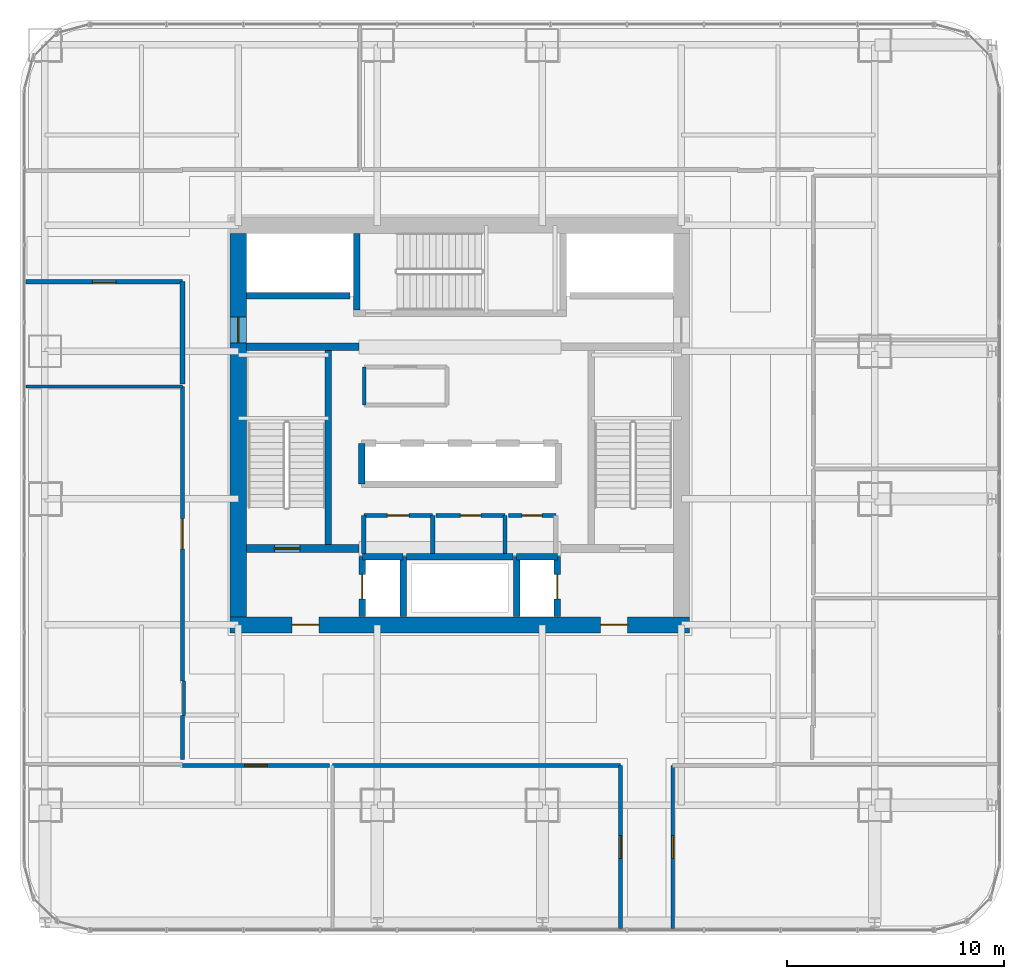
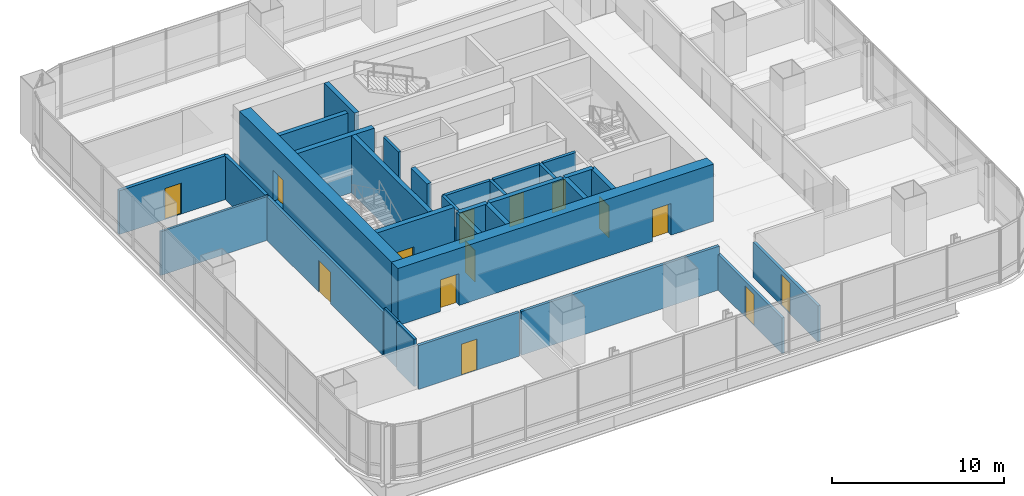
# One storey, part 27 of 34: 32 walls, 14 doors, 14 openings.
"""IFC4 building model written with IfcOpenShell, lengths in metres."""

import ifcopenshell
import ifcopenshell.guid

model = None  # the IFC model being written
_history = None  # IfcOwnerHistory: only IFC2X3 demands one
_inside = {}  # id of a spatial element -> (the spatial element, [elements in it])
_under = {}  # id of a project, library or spatial element -> (it, [spatial elements below it])
_declared = {}  # id of a project -> (the project, [libraries it declares])
_typed = {}  # id of a type object -> (the type object, [elements of that type])
_made_of = {}  # id of a material, layer set ... -> (it, [elements and type objects made of it])


def new_model(schema):
    """Start an empty IFC model of exactly this schema.

    Asked for "IFC4X3", IfcOpenShell would pick the latest addendum, in which some entities
    have other attributes; the version numbers below select the first issue.
    IFC2X3 requires an IfcOwnerHistory on every rooted entity: one is made here for all.
    """
    global model, _history
    if schema == "IFC4X3":
        model = ifcopenshell.file(schema_version=(4, 3, 0, 0))
    else:
        model = ifcopenshell.file(schema=schema)
    _inside.clear()
    _under.clear()
    _declared.clear()
    _typed.clear()
    _made_of.clear()
    _history = None
    if model.schema == "IFC2X3":
        org = make("IfcOrganization", Name="unknown")
        user = make(
            "IfcPersonAndOrganization",
            ThePerson=make("IfcPerson", FamilyName="unknown"),
            TheOrganization=org,
        )
        app = make(
            "IfcApplication",
            ApplicationDeveloper=org,
            Version="unknown",
            ApplicationFullName="unknown",
            ApplicationIdentifier="unknown",
        )
        _history = make(
            "IfcOwnerHistory",
            OwningUser=user,
            OwningApplication=app,
            ChangeAction="ADDED",
            CreationDate=0,
        )
    return model


def make(cls, **values):
    """One entity of the class cls with the attributes given. An attribute that is None is left unset."""
    return model.create_entity(
        cls, **{name: value for name, value in values.items() if value is not None}
    )


def rooted(cls, **values):
    """An entity with a GlobalId (a new one), such as an element, a storey or a relation."""
    return make(cls, GlobalId=ifcopenshell.guid.new(), OwnerHistory=_history, **values)


def si_unit(unit_type, name, prefix=None):
    """IfcSIUnit, for example si_unit("LENGTHUNIT", "METRE", prefix="MILLI")."""
    return make("IfcSIUnit", UnitType=unit_type, Prefix=prefix, Name=name)


def assignment(units):
    """IfcUnitAssignment: the units of a project."""
    return None if units is None else make("IfcUnitAssignment", Units=units)


def point(xyz):
    """IfcCartesianPoint."""
    return None if xyz is None else make("IfcCartesianPoint", Coordinates=xyz)


def direction(xyz):
    """IfcDirection."""
    return None if xyz is None else make("IfcDirection", DirectionRatios=xyz)


def frame(location, z_axis=None, x_axis=None):
    """IfcAxis2Placement3D, a coordinate frame: its origin and axes. An axis left out is left unset."""
    return make(
        "IfcAxis2Placement3D",
        Location=point(location),
        Axis=direction(z_axis),
        RefDirection=direction(x_axis),
    )


def frame_2d(location, x_axis=None):
    """IfcAxis2Placement2D, a coordinate frame in the plane: its origin and x axis."""
    return make(
        "IfcAxis2Placement2D", Location=point(location), RefDirection=direction(x_axis)
    )


def origin():
    """The frame at (0, 0, 0) with its axes left unset."""
    return frame((0.0, 0.0, 0.0))


def place(relative_to, where):
    """IfcLocalPlacement: puts the frame where relative to a parent placement (None: the world)."""
    return make(
        "IfcLocalPlacement", PlacementRelTo=relative_to, RelativePlacement=where
    )


def context(
    kind, dimensions, precision=None, world=None, true_north=None, identifier=None
):
    """IfcGeometricRepresentationContext, for example the 3D "Model" context."""
    return make(
        "IfcGeometricRepresentationContext",
        ContextIdentifier=identifier,
        ContextType=kind,
        CoordinateSpaceDimension=dimensions,
        Precision=precision,
        WorldCoordinateSystem=world,
        TrueNorth=true_north,
    )


def subcontext(parent, identifier, kind, view, scale=None):
    """IfcGeometricRepresentationSubContext, for example "Body" below "Model"."""
    return make(
        "IfcGeometricRepresentationSubContext",
        ContextIdentifier=identifier,
        ContextType=kind,
        ParentContext=parent,
        TargetScale=scale,
        TargetView=view,
    )


def project(units=None, contexts=None):
    """IfcProject with its units and contexts."""
    return rooted(
        "IfcProject",
        Name="project",
        RepresentationContexts=contexts,
        UnitsInContext=assignment(units),
    )


def spatial(cls, under=None, at=None, **own):
    """A site, building, storey or space (cls), placed at a placement, below another one or the project."""
    s = rooted(cls, ObjectPlacement=at, **own)
    if under is not None:
        _under.setdefault(under.id(), (under, []))[1].append(s)
    return s


def profile(cls, at=None, kind="AREA", **sizes):
    """A parametric profile (cls). Its sizes go by their IFC names, for example OverallWidth=200.0."""
    return make(cls, ProfileType=kind, Position=at, **sizes)


def rectangle(**sizes):
    """IfcRectangleProfileDef."""
    return profile("IfcRectangleProfileDef", **sizes)


def extrude(swept, where, along, depth):
    """IfcExtrudedAreaSolid: the profile swept, set in the frame where, extruded along a direction by depth."""
    return make(
        "IfcExtrudedAreaSolid",
        SweptArea=swept,
        Position=where,
        ExtrudedDirection=direction(along),
        Depth=depth,
    )


def shape(context_of_items, identifier, shape_type, items):
    """IfcShapeRepresentation: the items that make up one representation, for example the "Body"."""
    return make(
        "IfcShapeRepresentation",
        ContextOfItems=context_of_items,
        RepresentationIdentifier=identifier,
        RepresentationType=shape_type,
        Items=items,
    )


def material(Name=None, Category=None):
    """IfcMaterial."""
    return make("IfcMaterial", Name=Name, Category=Category)


def layer(
    of_material, thickness, ventilated=None, Name=None, Category=None, Priority=None
):
    """IfcMaterialLayer: one layer of a wall or slab, of a material (None: an air gap)."""
    return make(
        "IfcMaterialLayer",
        Material=of_material,
        LayerThickness=thickness,
        IsVentilated=ventilated,
        Name=Name,
        Category=Category,
        Priority=Priority,
    )


def layer_set(layers, Name=None):
    """IfcMaterialLayerSet."""
    return make("IfcMaterialLayerSet", MaterialLayers=layers, LayerSetName=Name)


def made_of(thing, what):
    """Note that an element or type object is made of a material, layer set ...; save() writes the relation."""
    if what is not None:
        _made_of.setdefault(what.id(), (what, []))[1].append(thing)
    return thing


def type_object(cls, material=None, **own):
    """A type object (cls), such as IfcWallType, which elements share."""
    return made_of(rooted(cls, **own), material)


def element(
    cls,
    number,
    at=None,
    inside=None,
    cuts=None,
    type_object=None,
    material=None,
    context=None,
    identifier="Body",
    shape_type=None,
    held_by="IfcProductDefinitionShape",
    body=None,
    shapes=None,
    **own,
):
    """One element of the class cls, such as IfcWall. Its Tag is "e" and its number.

    at: its placement. inside: the storey or other place that contains it. cuts: it is an
    opening in that element (IfcRelVoidsElement). A single representation is given by context,
    identifier, shape_type and body (its items); several are given by shapes. held_by: the class
    of the entity that holds the representations. save() writes the other relations.
    """
    e = rooted(cls, Tag="e%d" % number, ObjectPlacement=at, **own)
    if body is not None:
        shapes = [shape(context, identifier, shape_type, body)]
    if shapes is not None:
        e.Representation = make(held_by, Representations=shapes)
    if inside is not None:
        _inside.setdefault(inside.id(), (inside, []))[1].append(e)
    if cuts is not None:
        rooted(
            "IfcRelVoidsElement", RelatingBuildingElement=cuts, RelatedOpeningElement=e
        )
    if type_object is not None:
        _typed.setdefault(type_object.id(), (type_object, []))[1].append(e)
    return made_of(e, material)


def fill(opening, filler):
    """IfcRelFillsElement: the door or window that sits in an opening."""
    return rooted(
        "IfcRelFillsElement",
        RelatingOpeningElement=opening,
        RelatedBuildingElement=filler,
    )


def aggregate(whole, parts):
    """IfcRelAggregates: a whole, such as a stair, and the parts it consists of."""
    return rooted("IfcRelAggregates", RelatingObject=whole, RelatedObjects=parts)


def save(model, path):
    """Write the relations noted so far, then the file.

    IfcRelAggregates (storeys below a building ...), IfcRelContainedInSpatialStructure (elements
    in a storey), IfcRelDefinesByType, IfcRelAssociatesMaterial and IfcRelDeclares: one each for
    every whole, place, type object, material and project.
    """
    for whole, parts in _under.values():
        aggregate(whole, parts)
    for where, things in _inside.values():
        rooted(
            "IfcRelContainedInSpatialStructure",
            RelatedElements=things,
            RelatingStructure=where,
        )
    for kind, things in _typed.values():
        rooted("IfcRelDefinesByType", RelatedObjects=things, RelatingType=kind)
    for what, things in _made_of.values():
        rooted("IfcRelAssociatesMaterial", RelatedObjects=things, RelatingMaterial=what)
    for by, libraries in _declared.values():
        rooted("IfcRelDeclares", RelatingContext=by, RelatedDefinitions=libraries)
    model.write(path)


model = new_model("IFC4")

# Units and contexts
model_context = context("Model", 3, precision=1e-05, world=origin(), true_north=direction((0.0, 1.0)))
body_context = subcontext(model_context, "Body", "Model", "MODEL_VIEW")
ifc_project = project(units=[si_unit("LENGTHUNIT", "METRE"), si_unit("AREAUNIT", "SQUARE_METRE"), si_unit("VOLUMEUNIT", "CUBIC_METRE"), si_unit("PLANEANGLEUNIT", "RADIAN"), si_unit("MASSUNIT", "GRAM", prefix="KILO")], contexts=[model_context])

# Site, building, storey
site_placement = place(None, origin())
site = spatial("IfcSite", under=ifc_project, at=site_placement, CompositionType="ELEMENT")
building_placement = place(site_placement, origin())
building = spatial("IfcBuilding", under=site, at=building_placement, Name="Punatoya Terracotta Tower", CompositionType="ELEMENT")
storey_placement = place(building_placement, frame((0.0, 0.0, 84.89990234375)))
storey = spatial("IfcBuildingStorey", under=building, at=storey_placement, Name="L19", CompositionType="ELEMENT", Elevation=84.89990234375)

# Wall, openings, doors
ifc_material_1 = material(Name="Concrete C60/75", Category="concrete")
ifc_layer_1 = layer(ifc_material_1, 0.75)
ifc_layer_set_1 = layer_set([ifc_layer_1], Name="Concrete C60/75")
wall_type_1 = type_object("IfcWallType", Name="WL-COR-750", PredefinedType="SHEAR", material=ifc_layer_set_1)
wall_1_placement = place(storey_placement, frame((10.574951171875, -9.199951171875, 0.0), z_axis=(0.0, 0.0, 1.0), x_axis=(-1.0, 0.0, 0.0)))
wall_1 = element("IfcWall", 1, at=wall_1_placement, inside=storey, type_object=wall_type_1, Name="L19 Core Shear Wall S", PredefinedType="SHEAR", context=body_context, shape_type="SweptSolid", body=[
    extrude(rectangle(XDim=21.14990234375, YDim=0.75, at=frame_2d((10.574951171875, 0.0))), origin(), (0.0, 0.0, 1.0), 4.050048828125),
])
opening_1_placement = place(wall_1_placement, frame((2.85009765625, 0.0, 0.0)))
opening_1 = element("IfcOpeningElement", 2, at=opening_1_placement, cuts=wall_1, Name="Opening FD-L1", PredefinedType="OPENING", context=body_context, shape_type="SweptSolid", body=[
    extrude(rectangle(XDim=1.25, YDim=2.25, at=frame_2d((0.625, 1.125))), frame((0.0, 0.385009765625, 0.0), z_axis=(0.0, -1.0, 0.0), x_axis=(1.0, 0.0, 0.0)), (0.0, 0.0, 1.0), 0.77001953125),
])
opening_2_placement = place(wall_1_placement, frame((17.050048828125, 0.0, 0.0)))
opening_2 = element("IfcOpeningElement", 3, at=opening_2_placement, cuts=wall_1, Name="Opening FD-L1", PredefinedType="OPENING", context=body_context, shape_type="SweptSolid", body=[
    extrude(rectangle(XDim=1.25, YDim=2.25, at=frame_2d((0.625, 1.125))), frame((0.0, 0.385009765625, 0.0), z_axis=(0.0, -1.0, 0.0), x_axis=(1.0, 0.0, 0.0)), (0.0, 0.0, 1.0), 0.77001953125),
])
ifc_material_2 = material(Name="Galvanised Steel Smokeproof Fire Door", Category="steel")
door_type_1 = type_object("IfcDoorType", Name="DR-FFL-1250", OperationType="NOTDEFINED", PredefinedType="DOOR", material=ifc_material_2)
door_1_placement = place(opening_1_placement, origin())
door_1 = element("IfcDoor", 4, at=door_1_placement, inside=storey, type_object=door_type_1, Name="L19 East Firefighting Lobby Corridor Fire Door", OperationType="SINGLE_SWING_LEFT", OverallHeight=2.25, OverallWidth=1.25, PredefinedType="DOOR", context=body_context, shape_type="SweptSolid", body=[
    extrude(rectangle(XDim=1.25, YDim=2.25, at=frame_2d((0.625, 1.125))), frame((0.0, 0.02490234375, 0.0), z_axis=(0.0, -1.0, 0.0), x_axis=(1.0, 0.0, 0.0)), (0.0, 0.0, 1.0), 0.050048828125),
])
fill(opening_1, door_1)
door_2_placement = place(opening_2_placement, origin())
door_2 = element("IfcDoor", 5, at=door_2_placement, inside=storey, type_object=door_type_1, Name="L19 West Firefighting Lobby Corridor Fire Door", OperationType="SINGLE_SWING_RIGHT", OverallHeight=2.25, OverallWidth=1.25, PredefinedType="DOOR", context=body_context, shape_type="SweptSolid", body=[
    extrude(rectangle(XDim=1.25, YDim=2.25, at=frame_2d((0.625, 1.125))), frame((0.0, 0.02490234375, 0.0), z_axis=(0.0, -1.0, 0.0), x_axis=(1.0, 0.0, 0.0)), (0.0, 0.0, 1.0), 0.050048828125),
])
fill(opening_2, door_2)

# Wall, opening, door
wall_2_placement = place(storey_placement, frame((-10.199951171875, -8.824951171875, 0.0), z_axis=(0.0, 0.0, 1.0), x_axis=(0.0, 1.0, 0.0)))
wall_2 = element("IfcWall", 6, at=wall_2_placement, inside=storey, type_object=wall_type_1, Name="L19 Core Shear Wall W", PredefinedType="SHEAR", context=body_context, shape_type="SweptSolid", body=[
    extrude(rectangle(XDim=17.64990234375, YDim=0.75, at=frame_2d((8.824951171875, 0.0))), origin(), (0.0, 0.0, 1.0), 4.050048828125),
])
opening_3_placement = place(wall_2_placement, frame((12.614990234375, 0.0, 0.0)))
opening_3 = element("IfcOpeningElement", 7, at=opening_3_placement, cuts=wall_2, Name="Opening SD-01", PredefinedType="OPENING", context=body_context, shape_type="SweptSolid", body=[
    extrude(rectangle(XDim=1.179931640625, YDim=2.199951171875, at=frame_2d((0.58984375, 1.10009765625))), frame((0.0, 0.385009765625, 0.0), z_axis=(0.0, -1.0, 0.0), x_axis=(1.0, 0.0, 0.0)), (0.0, 0.0, 1.0), 0.77001953125),
])
ifc_material_3 = material(Name="Galvanised Steel Pressurized Stair Fire Door", Category="steel")
door_type_2 = type_object("IfcDoorType", Name="DR-STR-1180", OperationType="NOTDEFINED", PredefinedType="DOOR", material=ifc_material_3)
door_3_placement = place(opening_3_placement, origin())
door_3 = element("IfcDoor", 8, at=door_3_placement, inside=storey, type_object=door_type_2, Name="L19 Central Lift Lobby West Fire Door", OperationType="SINGLE_SWING_LEFT", OverallHeight=2.199951171875, OverallWidth=1.179931640625, PredefinedType="DOOR", context=body_context, shape_type="SweptSolid", body=[
    extrude(rectangle(XDim=1.179931640625, YDim=2.199951171875, at=frame_2d((0.58984375, 1.10009765625))), frame((0.0, 0.02490234375, 0.0), z_axis=(0.0, -1.0, 0.0), x_axis=(1.0, 0.0, 0.0)), (0.0, 0.0, 1.0), 0.050048828125),
])
fill(opening_3, door_3)

# Wall
ifc_material_4 = material(Name="Gypsum Fireboard + Steel Stud", Category="steel")
ifc_layer_2 = layer(ifc_material_4, 0.179931640625)
ifc_layer_set_2 = layer_set([ifc_layer_2], Name="Gypsum Fireboard + Steel Stud")
wall_type_2 = type_object("IfcWallType", Name="WL-CORR-180", PredefinedType="PARTITIONING", material=ifc_layer_set_2)
wall_3_placement = place(storey_placement, frame((-4.39990234375, 2.679931640625, 0.0), z_axis=(0.0, 0.0, 1.0), x_axis=(0.0, -1.0, 0.0)))
element("IfcWall", 9, at=wall_3_placement, inside=storey, type_object=wall_type_2, Name="L19 West Core Archive Office Partition 10", PredefinedType="PARTITIONING", context=body_context, shape_type="SweptSolid", body=[
    extrude(rectangle(XDim=1.760009765625, YDim=0.179931640625, at=frame_2d((0.8798828125, 0.0))), origin(), (0.0, 0.0, 1.0), 3.81005859375),
])

# Wall, opening, door
wall_4_placement = place(storey_placement, frame((7.39990234375, -15.669921875, 0.0), z_axis=(0.0, 0.0, 1.0), x_axis=(0.0, -1.0, 0.0)))
wall_4 = element("IfcWall", 10, at=wall_4_placement, inside=storey, type_object=wall_type_2, Name="L19 Open-Plan Computational Simulation Laboratory Partition 12", PredefinedType="PARTITIONING", context=body_context, shape_type="SweptSolid", body=[
    extrude(rectangle(XDim=7.5, YDim=0.179931640625, at=frame_2d((3.75, 0.0))), origin(), (0.0, 0.0, 1.0), 2.524169921875),
])
opening_4_placement = place(wall_4_placement, frame((3.22509765625, 0.0, 0.0)))
opening_4 = element("IfcOpeningElement", 11, at=opening_4_placement, cuts=wall_4, Name="Opening OD-01", PredefinedType="OPENING", context=body_context, shape_type="SweptSolid", body=[
    extrude(rectangle(XDim=1.050048828125, YDim=2.199951171875, at=frame_2d((0.52490234375, 1.10009765625))), frame((0.0, 0.099853515625, 0.0), z_axis=(0.0, -1.0, 0.0), x_axis=(1.0, 0.0, 0.0)), (0.0, 0.0, 1.0), 0.199951171875),
])
ifc_material_5 = material(Name="Bengal Teak Solid-Core Leaf")
door_type_3 = type_object("IfcDoorType", Name="DR-OFF-1050", OperationType="NOTDEFINED", PredefinedType="DOOR", material=ifc_material_5)
door_4_placement = place(opening_4_placement, origin())
door_4 = element("IfcDoor", 12, at=door_4_placement, inside=storey, type_object=door_type_3, Name="L19 Open-Plan Computational Simulation Laboratory Door", OperationType="SINGLE_SWING_LEFT", OverallHeight=2.199951171875, OverallWidth=1.050048828125, PredefinedType="DOOR", context=body_context, shape_type="SweptSolid", body=[
    extrude(rectangle(XDim=1.050048828125, YDim=2.199951171875, at=frame_2d((0.52490234375, 1.10009765625))), frame((0.0, 0.02490234375, 0.0), z_axis=(0.0, -1.0, 0.0), x_axis=(1.0, 0.0, 0.0)), (0.0, 0.0, 1.0), 0.050048828125),
])
fill(opening_4, door_4)

# Wall
wall_5_placement = place(storey_placement, frame((-5.8740234375, -15.669921875, 0.0), z_axis=(0.0, 0.0, 1.0), x_axis=(1.0, 0.0, 0.0)))
element("IfcWall", 13, at=wall_5_placement, inside=storey, type_object=wall_type_2, Name="L19 Open-Plan Computational Simulation Laboratory Partition 14", PredefinedType="PARTITIONING", context=body_context, shape_type="SweptSolid", body=[
    extrude(rectangle(XDim=13.27392578125, YDim=0.179931640625, at=frame_2d((6.636962890625, 0.0))), origin(), (0.0, 0.0, 1.0), 3.10400390625),
])

# Wall, opening, door
wall_6_placement = place(storey_placement, frame((-12.77001953125, -15.669921875, 0.0), z_axis=(0.0, 0.0, 1.0), x_axis=(1.0, 0.0, 0.0)))
wall_6 = element("IfcWall", 14, at=wall_6_placement, inside=storey, type_object=wall_type_2, Name="L19 Open-Plan Cartography Reference Library Partition 16", PredefinedType="PARTITIONING", context=body_context, shape_type="SweptSolid", body=[
    extrude(rectangle(XDim=6.776123046875, YDim=0.179931640625, at=frame_2d((3.38818359375, 0.0))), origin(), (0.0, 0.0, 1.0), 3.10400390625),
])
opening_5_placement = place(wall_6_placement, frame((2.863037109375, 0.0, 0.0)))
opening_5 = element("IfcOpeningElement", 15, at=opening_5_placement, cuts=wall_6, Name="Opening OD-01", PredefinedType="OPENING", context=body_context, shape_type="SweptSolid", body=[
    extrude(rectangle(XDim=1.050048828125, YDim=2.199951171875, at=frame_2d((0.52490234375, 1.10009765625))), frame((0.0, 0.099853515625, 0.0), z_axis=(0.0, -1.0, 0.0), x_axis=(1.0, 0.0, 0.0)), (0.0, 0.0, 1.0), 0.199951171875),
])
door_5_placement = place(opening_5_placement, origin())
door_5 = element("IfcDoor", 16, at=door_5_placement, inside=storey, type_object=door_type_3, Name="L19 Open-Plan Cartography Reference Library Door", OperationType="SINGLE_SWING_RIGHT", OverallHeight=2.199951171875, OverallWidth=1.050048828125, PredefinedType="DOOR", context=body_context, shape_type="SweptSolid", body=[
    extrude(rectangle(XDim=1.050048828125, YDim=2.199951171875, at=frame_2d((0.52490234375, 1.10009765625))), frame((0.0, 0.02490234375, 0.0), z_axis=(0.0, -1.0, 0.0), x_axis=(1.0, 0.0, 0.0)), (0.0, 0.0, 1.0), 0.050048828125),
])
fill(opening_5, door_5)

wall_7_placement = place(storey_placement, frame((9.800048828125, -23.169921875, 0.0), z_axis=(0.0, 0.0, 1.0), x_axis=(0.0, 1.0, 0.0)))
wall_7 = element("IfcWall", 17, at=wall_7_placement, inside=storey, type_object=wall_type_2, Name="L19 Open-Plan Materials Testing Laboratory Partition 17", PredefinedType="PARTITIONING", context=body_context, shape_type="SweptSolid", body=[
    extrude(rectangle(XDim=7.5, YDim=0.179931640625, at=frame_2d((3.75, 0.0))), origin(), (0.0, 0.0, 1.0), 2.524169921875),
])
opening_6_placement = place(wall_7_placement, frame((3.22509765625, 0.0, 0.0)))
opening_6 = element("IfcOpeningElement", 18, at=opening_6_placement, cuts=wall_7, Name="Opening OD-01", PredefinedType="OPENING", context=body_context, shape_type="SweptSolid", body=[
    extrude(rectangle(XDim=1.050048828125, YDim=2.199951171875, at=frame_2d((0.52490234375, 1.10009765625))), frame((0.0, 0.099853515625, 0.0), z_axis=(0.0, -1.0, 0.0), x_axis=(1.0, 0.0, 0.0)), (0.0, 0.0, 1.0), 0.199951171875),
])
door_6_placement = place(opening_6_placement, origin())
door_6 = element("IfcDoor", 19, at=door_6_placement, inside=storey, type_object=door_type_3, Name="L19 Open-Plan Materials Testing Laboratory Door", OperationType="SINGLE_SWING_LEFT", OverallHeight=2.199951171875, OverallWidth=1.050048828125, PredefinedType="DOOR", context=body_context, shape_type="SweptSolid", body=[
    extrude(rectangle(XDim=1.050048828125, YDim=2.199951171875, at=frame_2d((0.52490234375, 1.10009765625))), frame((0.0, 0.02490234375, 0.0), z_axis=(0.0, -1.0, 0.0), x_axis=(1.0, 0.0, 0.0)), (0.0, 0.0, 1.0), 0.050048828125),
])
fill(opening_6, door_6)

wall_8_placement = place(storey_placement, frame((-12.77001953125, 1.77001953125, 0.0), z_axis=(0.0, 0.0, 1.0), x_axis=(0.0, -1.0, 0.0)))
wall_8 = element("IfcWall", 20, at=wall_8_placement, inside=storey, type_object=wall_type_2, Name="L19 Open-Plan Technical Seminar Room Partition 24", PredefinedType="PARTITIONING", context=body_context, shape_type="SweptSolid", body=[
    extrude(rectangle(XDim=13.5400390625, YDim=0.179931640625, at=frame_2d((6.77001953125, 0.0))), origin(), (0.0, 0.0, 1.0), 3.10400390625),
])
opening_7_placement = place(wall_8_placement, frame((6.070068359375, 0.0, 0.0)))
opening_7 = element("IfcOpeningElement", 21, at=opening_7_placement, cuts=wall_8, Name="Opening BD-01", PredefinedType="OPENING", context=body_context, shape_type="SweptSolid", body=[
    extrude(rectangle(XDim=1.39990234375, YDim=2.25, at=frame_2d((0.699951171875, 1.125))), frame((0.0, 0.099853515625, 0.0), z_axis=(0.0, -1.0, 0.0), x_axis=(1.0, 0.0, 0.0)), (0.0, 0.0, 1.0), 0.199951171875),
])
ifc_material_6 = material(Name="Bengal Teak Acoustic Leaf")
door_type_4 = type_object("IfcDoorType", Name="DR-BRD-1400", OperationType="NOTDEFINED", PredefinedType="DOOR", material=ifc_material_6)
door_7_placement = place(opening_7_placement, origin())
door_7 = element("IfcDoor", 22, at=door_7_placement, inside=storey, type_object=door_type_4, Name="L19 Open-Plan Technical Seminar Room Door", OperationType="SINGLE_SWING_LEFT", OverallHeight=2.25, OverallWidth=1.39990234375, PredefinedType="DOOR", context=body_context, shape_type="SweptSolid", body=[
    extrude(rectangle(XDim=1.39990234375, YDim=2.25, at=frame_2d((0.699951171875, 1.125))), frame((0.0, 0.02490234375, 0.0), z_axis=(0.0, -1.0, 0.0), x_axis=(1.0, 0.0, 0.0)), (0.0, 0.0, 1.0), 0.050048828125),
])
fill(opening_7, door_7)

# Wall
wall_9_placement = place(storey_placement, frame((-12.77001953125, -13.3798828125, 0.0), z_axis=(0.0, 0.0, 1.0), x_axis=(0.0, -1.0, 0.0)))
element("IfcWall", 23, at=wall_9_placement, inside=storey, type_object=wall_type_2, Name="L19 Open-Plan Technical Seminar Room Partition 26", PredefinedType="PARTITIONING", context=body_context, shape_type="SweptSolid", body=[
    extrude(rectangle(XDim=2.010009765625, YDim=0.179931640625, at=frame_2d((1.0048828125, 0.0))), origin(), (0.0, 0.0, 1.0), 3.35400390625),
])

# Wall, opening, door
ifc_material_7 = material(Name="Concrete C40/50", Category="concrete")
ifc_layer_3 = layer(ifc_material_7, 0.219970703125)
ifc_layer_set_3 = layer_set([ifc_layer_3], Name="Concrete C40/50")
wall_type_3 = type_object("IfcWallType", Name="WL-FIR-220", PredefinedType="SOLIDWALL", material=ifc_layer_set_3)
wall_10_placement = place(storey_placement, frame((-19.969970703125, 6.60009765625, 0.0), z_axis=(0.0, 0.0, 1.0), x_axis=(1.0, 0.0, 0.0)))
wall_10 = element("IfcWall", 24, at=wall_10_placement, inside=storey, type_object=wall_type_3, Name="L19 Open-Plan Geospatial Data Archive Partition 31", PredefinedType="SOLIDWALL", context=body_context, shape_type="SweptSolid", body=[
    extrude(rectangle(XDim=7.199951171875, YDim=0.219970703125, at=frame_2d((3.60009765625, 0.0))), origin(), (0.0, 0.0, 1.0), 3.10400390625),
])
opening_8_placement = place(wall_10_placement, frame((3.050048828125, 0.0, 0.0)))
opening_8 = element("IfcOpeningElement", 25, at=opening_8_placement, cuts=wall_10, Name="Opening FD-P1", PredefinedType="OPENING", context=body_context, shape_type="SweptSolid", body=[
    extrude(rectangle(XDim=1.10009765625, YDim=2.199951171875, at=frame_2d((0.550048828125, 1.10009765625))), frame((0.0, 0.119873046875, 0.0), z_axis=(0.0, -1.0, 0.0), x_axis=(1.0, 0.0, 0.0)), (0.0, 0.0, 1.0), 0.239990234375),
])
ifc_material_8 = material(Name="Galvanised Steel Plant Fire Door", Category="steel")
door_type_5 = type_object("IfcDoorType", Name="DR-PLT-1100", OperationType="NOTDEFINED", PredefinedType="DOOR", material=ifc_material_8)
door_8_placement = place(opening_8_placement, origin())
door_8 = element("IfcDoor", 26, at=door_8_placement, inside=storey, type_object=door_type_5, Name="L19 Open-Plan Geospatial Data Archive Fire Door", OperationType="SINGLE_SWING_RIGHT", OverallHeight=2.199951171875, OverallWidth=1.10009765625, PredefinedType="DOOR", context=body_context, shape_type="SweptSolid", body=[
    extrude(rectangle(XDim=1.10009765625, YDim=2.199951171875, at=frame_2d((0.550048828125, 1.10009765625))), frame((0.0, 0.02490234375, 0.0), z_axis=(0.0, -1.0, 0.0), x_axis=(1.0, 0.0, 0.0)), (0.0, 0.0, 1.0), 0.050048828125),
])
fill(opening_8, door_8)

# Walls
wall_11_placement = place(storey_placement, frame((-12.77001953125, 6.60009765625, 0.0), z_axis=(0.0, 0.0, 1.0), x_axis=(0.0, -1.0, 0.0)))
element("IfcWall", 27, at=wall_11_placement, inside=storey, type_object=wall_type_3, Name="L19 Open-Plan Geospatial Data Archive Partition 32", PredefinedType="SOLIDWALL", context=body_context, shape_type="SweptSolid", body=[
    extrude(rectangle(XDim=4.710205078125, YDim=0.219970703125, at=frame_2d((2.35498046875, 0.0))), origin(), (0.0, 0.0, 1.0), 3.10400390625),
])
ifc_layer_4 = layer(ifc_material_7, 0.199951171875)
ifc_layer_set_4 = layer_set([ifc_layer_4], Name="Concrete C40/50")
wall_type_4 = type_object("IfcWallType", Name="WL-INT-200", PredefinedType="SOLIDWALL", material=ifc_layer_set_4)
wall_12_placement = place(storey_placement, frame((-1.25, -5.89990234375, 0.0), z_axis=(0.0, 0.0, 1.0), x_axis=(0.0, 1.0, 0.0)))
element("IfcWall", 28, at=wall_12_placement, inside=storey, type_object=wall_type_4, Name="L19 Accessible Universal Washroom Partition 01", PredefinedType="SOLIDWALL", context=body_context, shape_type="SweptSolid", body=[
    extrude(rectangle(XDim=1.739990234375, YDim=0.199951171875, at=frame_2d((0.8701171875, 0.0))), origin(), (0.0, 0.0, 1.0), 3.81005859375),
])

# Wall, opening, door
wall_13_placement = place(storey_placement, frame((-1.25, -4.159912109375, 0.0), z_axis=(0.0, 0.0, 1.0), x_axis=(-1.0, 0.0, 0.0)))
wall_13 = element("IfcWall", 29, at=wall_13_placement, inside=storey, type_object=wall_type_4, Name="L19 Accessible Universal Washroom Partition 02", PredefinedType="SOLIDWALL", context=body_context, shape_type="SweptSolid", body=[
    extrude(rectangle(XDim=3.169921875, YDim=0.199951171875, at=frame_2d((1.5849609375, 0.0))), origin(), (0.0, 0.0, 1.0), 3.81005859375),
])
opening_9_placement = place(wall_13_placement, frame((1.0849609375, 0.0, 0.0)))
opening_9 = element("IfcOpeningElement", 30, at=opening_9_placement, cuts=wall_13, Name="Opening AWD-1", PredefinedType="OPENING", context=body_context, shape_type="SweptSolid", body=[
    extrude(rectangle(XDim=1.0, YDim=2.14990234375, at=frame_2d((0.5, 1.074951171875))), frame((0.0, 0.10986328125, 0.0), z_axis=(0.0, -1.0, 0.0), x_axis=(1.0, 0.0, 0.0)), (0.0, 0.0, 1.0), 0.219970703125),
])
ifc_material_9 = material(Name="Bengal Teak Accessible WC Leaf")
door_type_6 = type_object("IfcDoorType", Name="DR-ACC-1000", OperationType="NOTDEFINED", PredefinedType="DOOR", material=ifc_material_9)
door_9_placement = place(opening_9_placement, origin())
door_9 = element("IfcDoor", 31, at=door_9_placement, inside=storey, type_object=door_type_6, Name="L19 Accessible Universal Washroom Door", OperationType="SINGLE_SWING_LEFT", OverallHeight=2.14990234375, OverallWidth=1.0, PredefinedType="DOOR", context=body_context, shape_type="SweptSolid", body=[
    extrude(rectangle(XDim=1.0, YDim=2.14990234375, at=frame_2d((0.5, 1.074951171875))), frame((0.0, 0.02490234375, 0.0), z_axis=(0.0, -1.0, 0.0), x_axis=(1.0, 0.0, 0.0)), (0.0, 0.0, 1.0), 0.050048828125),
])
fill(opening_9, door_9)

# Walls
for number, where, z_axis, x_axis, name in (
    (32, (-4.419921875, -4.159912109375, 0.0), (0.0, 0.0, 1.0), (0.0, -1.0, 0.0), "L19 Accessible Universal Washroom Partition 03"),
    (33, (2.080078125, -5.89990234375, 0.0), (0.0, 0.0, 1.0), (0.0, 1.0, 0.0), "L19 All-Gender Universal Washroom Partition 04"),
):
    element("IfcWall", number, at=place(storey_placement, frame(where, z_axis=z_axis, x_axis=x_axis)), inside=storey, type_object=wall_type_4, Name=name, PredefinedType="SOLIDWALL", context=body_context, shape_type="SweptSolid", body=[
        extrude(rectangle(XDim=1.739990234375, YDim=0.199951171875, at=frame_2d((0.8701171875, 0.0))), origin(), (0.0, 0.0, 1.0), 3.81005859375),
    ])

# Wall, opening, door
wall_14_placement = place(storey_placement, frame((2.080078125, -4.159912109375, 0.0), z_axis=(0.0, 0.0, 1.0), x_axis=(-1.0, 0.0, 0.0)))
wall_14 = element("IfcWall", 34, at=wall_14_placement, inside=storey, type_object=wall_type_4, Name="L19 All-Gender Universal Washroom Partition 05", PredefinedType="SOLIDWALL", context=body_context, shape_type="SweptSolid", body=[
    extrude(rectangle(XDim=3.170166015625, YDim=0.199951171875, at=frame_2d((1.5849609375, 0.0))), origin(), (0.0, 0.0, 1.0), 3.81005859375),
])
opening_10_placement = place(wall_14_placement, frame((1.110107421875, 0.0, 0.0)))
opening_10 = element("IfcOpeningElement", 35, at=opening_10_placement, cuts=wall_14, Name="Opening WD-01", PredefinedType="OPENING", context=body_context, shape_type="SweptSolid", body=[
    extrude(rectangle(XDim=0.949951171875, YDim=2.14990234375, at=frame_2d((0.47509765625, 1.074951171875))), frame((0.0, 0.10986328125, 0.0), z_axis=(0.0, -1.0, 0.0), x_axis=(1.0, 0.0, 0.0)), (0.0, 0.0, 1.0), 0.219970703125),
])
ifc_material_10 = material(Name="Moisture-Resistant Laminate Timber Leaf", Category="wood")
door_type_7 = type_object("IfcDoorType", Name="DR-WC-950", OperationType="NOTDEFINED", PredefinedType="DOOR", material=ifc_material_10)
door_10_placement = place(opening_10_placement, origin())
door_10 = element("IfcDoor", 36, at=door_10_placement, inside=storey, type_object=door_type_7, Name="L19 All-Gender Universal Washroom Door", OperationType="SINGLE_SWING_RIGHT", OverallHeight=2.14990234375, OverallWidth=0.949951171875, PredefinedType="DOOR", context=body_context, shape_type="SweptSolid", body=[
    extrude(rectangle(XDim=0.949951171875, YDim=2.14990234375, at=frame_2d((0.47509765625, 1.074951171875))), frame((0.0, 0.02490234375, 0.0), z_axis=(0.0, -1.0, 0.0), x_axis=(1.0, 0.0, 0.0)), (0.0, 0.0, 1.0), 0.050048828125),
])
fill(opening_10, door_10)

wall_15_placement = place(storey_placement, frame((4.419921875, -4.159912109375, 0.0), z_axis=(0.0, 0.0, 1.0), x_axis=(-1.0, 0.0, 0.0)))
wall_15 = element("IfcWall", 37, at=wall_15_placement, inside=storey, type_object=wall_type_4, Name="L19 Core Electrical Switchgear Room Partition 07", PredefinedType="SOLIDWALL", context=body_context, shape_type="SweptSolid", body=[
    extrude(rectangle(XDim=2.179931640625, YDim=0.199951171875, at=frame_2d((1.08984375, 0.0))), origin(), (0.0, 0.0, 1.0), 3.81005859375),
])
opening_11_placement = place(wall_15_placement, frame((0.6298828125, 0.0, 0.0)))
opening_11 = element("IfcOpeningElement", 38, at=opening_11_placement, cuts=wall_15, Name="Opening FD-R1", PredefinedType="OPENING", context=body_context, shape_type="SweptSolid", body=[
    extrude(rectangle(XDim=0.919921875, YDim=2.10009765625, at=frame_2d((0.4599609375, 1.050048828125))), frame((0.0, 0.10986328125, 0.0), z_axis=(0.0, -1.0, 0.0), x_axis=(1.0, 0.0, 0.0)), (0.0, 0.0, 1.0), 0.219970703125),
])
ifc_material_11 = material(Name="Galvanised Steel Riser Fire Access Door", Category="steel")
door_type_8 = type_object("IfcDoorType", Name="DR-RSR-920", OperationType="NOTDEFINED", PredefinedType="DOOR", material=ifc_material_11)
door_11_placement = place(opening_11_placement, origin())
door_11 = element("IfcDoor", 39, at=door_11_placement, inside=storey, type_object=door_type_8, Name="L19 Core Electrical Switchgear Room Fire Door", OperationType="SINGLE_SWING_LEFT", OverallHeight=2.10009765625, OverallWidth=0.919921875, PredefinedType="DOOR", context=body_context, shape_type="SweptSolid", body=[
    extrude(rectangle(XDim=0.919921875, YDim=2.10009765625, at=frame_2d((0.4599609375, 1.050048828125))), frame((0.0, 0.02490234375, 0.0), z_axis=(0.0, -1.0, 0.0), x_axis=(1.0, 0.0, 0.0)), (0.0, 0.0, 1.0), 0.050048828125),
])
fill(opening_11, door_11)

# Walls
ifc_material_12 = material(Name="Acoustic Gypsum + Steel Stud", Category="steel")
ifc_layer_5 = layer(ifc_material_12, 0.139892578125)
ifc_layer_set_5 = layer_set([ifc_layer_5], Name="Acoustic Gypsum + Steel Stud")
wall_type_5 = type_object("IfcWallType", Name="WL-OFF-140", PredefinedType="PARTITIONING", material=ifc_layer_set_5)
wall_16_placement = place(storey_placement, frame((-19.969970703125, 1.77001953125, 0.0), z_axis=(0.0, 0.0, 1.0), x_axis=(1.0, 0.0, 0.0)))
element("IfcWall", 40, at=wall_16_placement, inside=storey, type_object=wall_type_5, Name="L19 Open-Plan Technical Seminar Room Partition 23", PredefinedType="PARTITIONING", context=body_context, shape_type="SweptSolid", body=[
    extrude(rectangle(XDim=7.199951171875, YDim=0.139892578125, at=frame_2d((3.60009765625, 0.0))), origin(), (0.0, 0.0, 1.0), 3.10400390625),
])
wall_17_placement = place(storey_placement, frame((-12.7099609375, -11.77001953125, 0.0), z_axis=(0.0, 0.0, 1.0), x_axis=(0.0, -1.0, 0.0)))
element("IfcWall", 41, at=wall_17_placement, inside=storey, type_object=wall_type_5, Name="L19 Open-Plan Technical Seminar Room Partition 25", PredefinedType="PARTITIONING", context=body_context, shape_type="SweptSolid", body=[
    extrude(rectangle(XDim=1.60986328125, YDim=0.139892578125, at=frame_2d((0.804931640625, 0.0))), origin(), (0.0, 0.0, 1.0), 3.35400390625),
])
ifc_layer_6 = layer(ifc_material_7, 0.300048828125)
ifc_layer_set_6 = layer_set([ifc_layer_6], Name="Concrete C40/50")
wall_type_6 = type_object("IfcWallType", Name="WL-SHF-300", PredefinedType="SOLIDWALL", material=ifc_layer_set_6)
wall_18_placement = place(storey_placement, frame((-6.050048828125, -5.5, 0.0), z_axis=(0.0, 0.0, 1.0), x_axis=(0.0, 1.0, 0.0)))
element("IfcWall", 42, at=wall_18_placement, inside=storey, type_object=wall_type_6, Name="L19 Structural Stair Shaft Wall SW-ST1-E", PredefinedType="SOLIDWALL", context=body_context, shape_type="SweptSolid", body=[
    extrude(rectangle(XDim=8.949951171875, YDim=0.300048828125, at=frame_2d((4.47509765625, 0.0))), origin(), (0.0, 0.0, 1.0), 4.050048828125),
])
wall_19_placement = place(storey_placement, frame((-4.75, 5.300048828125, 0.0), z_axis=(0.0, 0.0, 1.0), x_axis=(0.0, 1.0, 0.0)))
element("IfcWall", 43, at=wall_19_placement, inside=storey, type_object=wall_type_6, Name="L19 Structural Stair Shaft Wall SW-ST3-W", PredefinedType="SOLIDWALL", context=body_context, shape_type="SweptSolid", body=[
    extrude(rectangle(XDim=3.52490234375, YDim=0.300048828125, at=frame_2d((1.762451171875, 0.0))), origin(), (0.0, 0.0, 1.0), 4.050048828125),
])

# Wall, opening, door
wall_20_placement = place(storey_placement, frame((-4.489990234375, -8.820068359375, 0.0), z_axis=(0.0, 0.0, 1.0), x_axis=(0.0, 1.0, 0.0)))
wall_20 = element("IfcWall", 44, at=wall_20_placement, inside=storey, type_object=wall_type_6, Name="L19 FFL-1 Front Hoistway Wall", PredefinedType="SOLIDWALL", context=body_context, shape_type="SweptSolid", body=[
    extrude(rectangle(XDim=2.77001953125, YDim=0.300048828125, at=frame_2d((1.385009765625, 0.0))), origin(), (0.0, 0.0, 1.0), 3.81005859375),
])
opening_12_placement = place(wall_20_placement, frame((0.824951171875, 0.0, 0.0)))
opening_12 = element("IfcOpeningElement", 45, at=opening_12_placement, cuts=wall_20, Name="Opening LD-02", PredefinedType="OPENING", context=body_context, shape_type="SweptSolid", body=[
    extrude(rectangle(XDim=1.1201171875, YDim=2.25, at=frame_2d((0.56005859375, 1.125))), frame((0.0, 0.159912109375, 0.0), z_axis=(0.0, -1.0, 0.0), x_axis=(1.0, 0.0, 0.0)), (0.0, 0.0, 1.0), 0.320068359375),
])
ifc_material_13 = material(Name="Stainless Steel Lift Landing Door", Category="steel")
door_type_9 = type_object("IfcDoorType", Name="DR-LND-1120", OperationType="NOTDEFINED", PredefinedType="DOOR", material=ifc_material_13)
door_12_placement = place(opening_12_placement, origin())
door_12 = element("IfcDoor", 46, at=door_12_placement, inside=storey, type_object=door_type_9, Name="L19 Firefighting Lift FFL-1 Sliding Landing Door", OperationType="SLIDING_TO_LEFT", OverallHeight=2.25, OverallWidth=1.1201171875, PredefinedType="DOOR", context=body_context, shape_type="SweptSolid", body=[
    extrude(rectangle(XDim=1.1201171875, YDim=2.25, at=frame_2d((0.56005859375, 1.125))), frame((0.0, 0.02490234375, 0.0), z_axis=(0.0, -1.0, 0.0), x_axis=(1.0, 0.0, 0.0)), (0.0, 0.0, 1.0), 0.050048828125),
])
fill(opening_12, door_12)

# Walls
wall_21_placement = place(storey_placement, frame((-2.610107421875, -8.820068359375, 0.0), z_axis=(0.0, 0.0, 1.0), x_axis=(0.0, 1.0, 0.0)))
element("IfcWall", 47, at=wall_21_placement, inside=storey, type_object=wall_type_6, Name="L19 FFL-1 Rear Hoistway Wall", PredefinedType="SOLIDWALL", context=body_context, shape_type="SweptSolid", body=[
    extrude(rectangle(XDim=2.77001953125, YDim=0.300048828125, at=frame_2d((1.385009765625, 0.0))), origin(), (0.0, 0.0, 1.0), 3.81005859375),
])
wall_22_placement = place(storey_placement, frame((-4.489990234375, -6.050048828125, 0.0), z_axis=(0.0, 0.0, 1.0), x_axis=(1.0, 0.0, 0.0)))
element("IfcWall", 48, at=wall_22_placement, inside=storey, type_object=wall_type_6, Name="L19 FFL-1 North Hoistway Wall", PredefinedType="SOLIDWALL", context=body_context, shape_type="SweptSolid", body=[
    extrude(rectangle(XDim=1.8798828125, YDim=0.300048828125, at=frame_2d((0.93994140625, 0.0))), origin(), (0.0, 0.0, 1.0), 3.81005859375),
])

# Wall, opening, door
wall_23_placement = place(storey_placement, frame((4.489990234375, -8.820068359375, 0.0), z_axis=(0.0, 0.0, 1.0), x_axis=(0.0, 1.0, 0.0)))
wall_23 = element("IfcWall", 49, at=wall_23_placement, inside=storey, type_object=wall_type_6, Name="L19 FFL-2 Front Hoistway Wall", PredefinedType="SOLIDWALL", context=body_context, shape_type="SweptSolid", body=[
    extrude(rectangle(XDim=2.77001953125, YDim=0.300048828125, at=frame_2d((1.385009765625, 0.0))), origin(), (0.0, 0.0, 1.0), 3.81005859375),
])
opening_13_placement = place(wall_23_placement, frame((0.824951171875, 0.0, 0.0)))
opening_13 = element("IfcOpeningElement", 50, at=opening_13_placement, cuts=wall_23, Name="Opening LD-02", PredefinedType="OPENING", context=body_context, shape_type="SweptSolid", body=[
    extrude(rectangle(XDim=1.1201171875, YDim=2.25, at=frame_2d((0.56005859375, 1.125))), frame((0.0, 0.159912109375, 0.0), z_axis=(0.0, -1.0, 0.0), x_axis=(1.0, 0.0, 0.0)), (0.0, 0.0, 1.0), 0.320068359375),
])
door_13_placement = place(opening_13_placement, origin())
door_13 = element("IfcDoor", 51, at=door_13_placement, inside=storey, type_object=door_type_9, Name="L19 Firefighting Lift FFL-2 Sliding Landing Door", OperationType="SLIDING_TO_RIGHT", OverallHeight=2.25, OverallWidth=1.1201171875, PredefinedType="DOOR", context=body_context, shape_type="SweptSolid", body=[
    extrude(rectangle(XDim=1.1201171875, YDim=2.25, at=frame_2d((0.56005859375, 1.125))), frame((0.0, 0.02490234375, 0.0), z_axis=(0.0, -1.0, 0.0), x_axis=(1.0, 0.0, 0.0)), (0.0, 0.0, 1.0), 0.050048828125),
])
fill(opening_13, door_13)

# Walls
wall_24_placement = place(storey_placement, frame((2.610107421875, -8.820068359375, 0.0), z_axis=(0.0, 0.0, 1.0), x_axis=(0.0, 1.0, 0.0)))
element("IfcWall", 52, at=wall_24_placement, inside=storey, type_object=wall_type_6, Name="L19 FFL-2 Rear Hoistway Wall", PredefinedType="SOLIDWALL", context=body_context, shape_type="SweptSolid", body=[
    extrude(rectangle(XDim=2.77001953125, YDim=0.300048828125, at=frame_2d((1.385009765625, 0.0))), origin(), (0.0, 0.0, 1.0), 3.81005859375),
])
for number, where, z_axis, x_axis, name in (
    (53, (2.610107421875, -6.050048828125, 0.0), (0.0, 0.0, 1.0), (1.0, 0.0, 0.0), "L19 FFL-2 North Hoistway Wall"),
    (54, (-4.52001953125, -2.719970703125, 0.0), (0.0, 0.0, 1.0), (0.0, 1.0, 0.0), "L19 South Lift Bank West End Wall"),
):
    element("IfcWall", number, at=place(storey_placement, frame(where, z_axis=z_axis, x_axis=x_axis)), inside=storey, type_object=wall_type_6, Name=name, PredefinedType="SOLIDWALL", context=body_context, shape_type="SweptSolid", body=[
        extrude(rectangle(XDim=1.8798828125, YDim=0.300048828125, at=frame_2d((0.93994140625, 0.0))), origin(), (0.0, 0.0, 1.0), 3.81005859375),
    ])
wall_25_placement = place(storey_placement, frame((-9.820068359375, 5.949951171875, 0.0), z_axis=(0.0, 0.0, 1.0), x_axis=(1.0, 0.0, 0.0)))
element("IfcWall", 55, at=wall_25_placement, inside=storey, type_object=wall_type_6, Name="L19 Shuttle SL-1 South Hoistway Wall", PredefinedType="SOLIDWALL", context=body_context, shape_type="SweptSolid", body=[
    extrude(rectangle(XDim=4.760009765625, YDim=0.300048828125, at=frame_2d((2.3798828125, 0.0))), origin(), (0.0, 0.0, 1.0), 3.81005859375),
])
wall_26_placement = place(storey_placement, frame((-2.449951171875, -6.050048828125, 0.0), z_axis=(0.0, 0.0, 1.0), x_axis=(1.0, 0.0, 0.0)))
element("IfcWall", 56, at=wall_26_placement, inside=storey, type_object=wall_type_6, Name="L19 Observation Shuttle Rear Hoistway Wall", PredefinedType="SOLIDWALL", context=body_context, shape_type="SweptSolid", body=[
    extrude(rectangle(XDim=4.89990234375, YDim=0.300048828125, at=frame_2d((2.449951171875, 0.0))), origin(), (0.0, 0.0, 1.0), 3.81005859375),
])

# Wall, opening, door
ifc_material_14 = material(Name="Concrete C50/60", Category="concrete")
ifc_layer_7 = layer(ifc_material_14, 0.35009765625)
ifc_layer_set_7 = layer_set([ifc_layer_7], Name="Concrete C50/60")
wall_type_7 = type_object("IfcWallType", Name="WL-SHF-350", PredefinedType="SOLIDWALL", material=ifc_layer_set_7)
wall_27_placement = place(storey_placement, frame((-9.824951171875, -5.679931640625, 0.0), z_axis=(0.0, 0.0, 1.0), x_axis=(1.0, 0.0, 0.0)))
wall_27 = element("IfcWall", 57, at=wall_27_placement, inside=storey, type_object=wall_type_7, Name="L19 Core Web Wall CSW-L", PredefinedType="SOLIDWALL", context=body_context, shape_type="SweptSolid", body=[
    extrude(rectangle(XDim=5.175048828125, YDim=0.35009765625, at=frame_2d((2.58740234375, 0.0))), origin(), (0.0, 0.0, 1.0), 4.050048828125),
])
opening_14_placement = place(wall_27_placement, frame((1.284912109375, 0.0, 0.0)))
opening_14 = element("IfcOpeningElement", 58, at=opening_14_placement, cuts=wall_27, Name="Opening SD-01", PredefinedType="OPENING", context=body_context, shape_type="SweptSolid", body=[
    extrude(rectangle(XDim=1.179931640625, YDim=2.199951171875, at=frame_2d((0.58984375, 1.10009765625))), frame((0.0, 0.18505859375, 0.0), z_axis=(0.0, -1.0, 0.0), x_axis=(1.0, 0.0, 0.0)), (0.0, 0.0, 1.0), 0.3701171875),
])
door_14_placement = place(opening_14_placement, origin())
door_14 = element("IfcDoor", 59, at=door_14_placement, inside=storey, type_object=door_type_2, Name="L19 Stair ST-1 Smokeproof Lobby Fire Door", OperationType="SINGLE_SWING_LEFT", OverallHeight=2.199951171875, OverallWidth=1.179931640625, PredefinedType="DOOR", context=body_context, shape_type="SweptSolid", body=[
    extrude(rectangle(XDim=1.179931640625, YDim=2.199951171875, at=frame_2d((0.58984375, 1.10009765625))), frame((0.0, 0.02490234375, 0.0), z_axis=(0.0, -1.0, 0.0), x_axis=(1.0, 0.0, 0.0)), (0.0, 0.0, 1.0), 0.050048828125),
])
fill(opening_14, door_14)

# Wall
wall_28_placement = place(storey_placement, frame((-9.824951171875, 3.60009765625, 0.0), z_axis=(0.0, 0.0, 1.0), x_axis=(1.0, 0.0, 0.0)))
element("IfcWall", 60, at=wall_28_placement, inside=storey, type_object=wall_type_7, Name="L19 Core Web Wall CNW-L", PredefinedType="SOLIDWALL", context=body_context, shape_type="SweptSolid", body=[
    extrude(rectangle(XDim=5.175048828125, YDim=0.35009765625, at=frame_2d((2.58740234375, 0.0))), origin(), (0.0, 0.0, 1.0), 4.050048828125),
])

save(model, "model.ifc")
